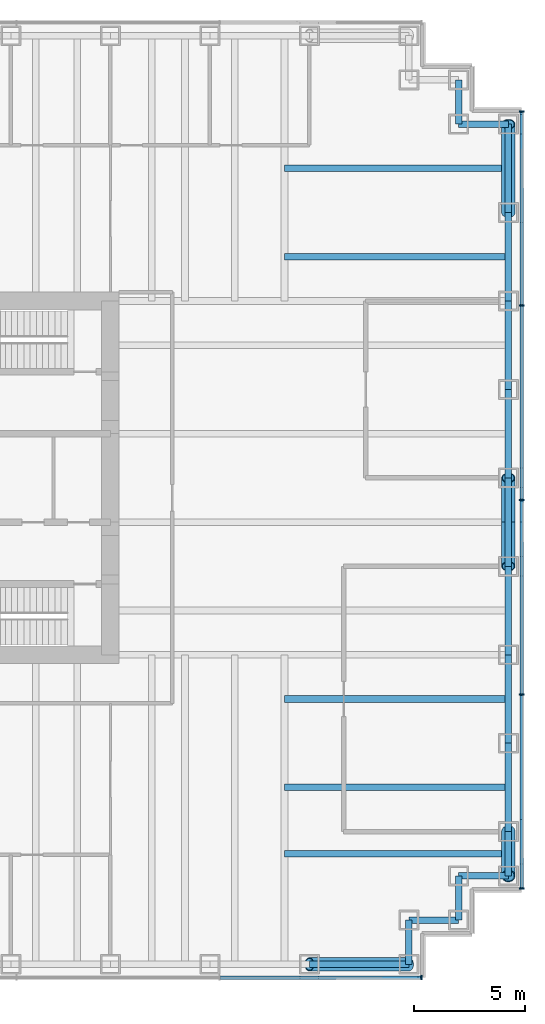
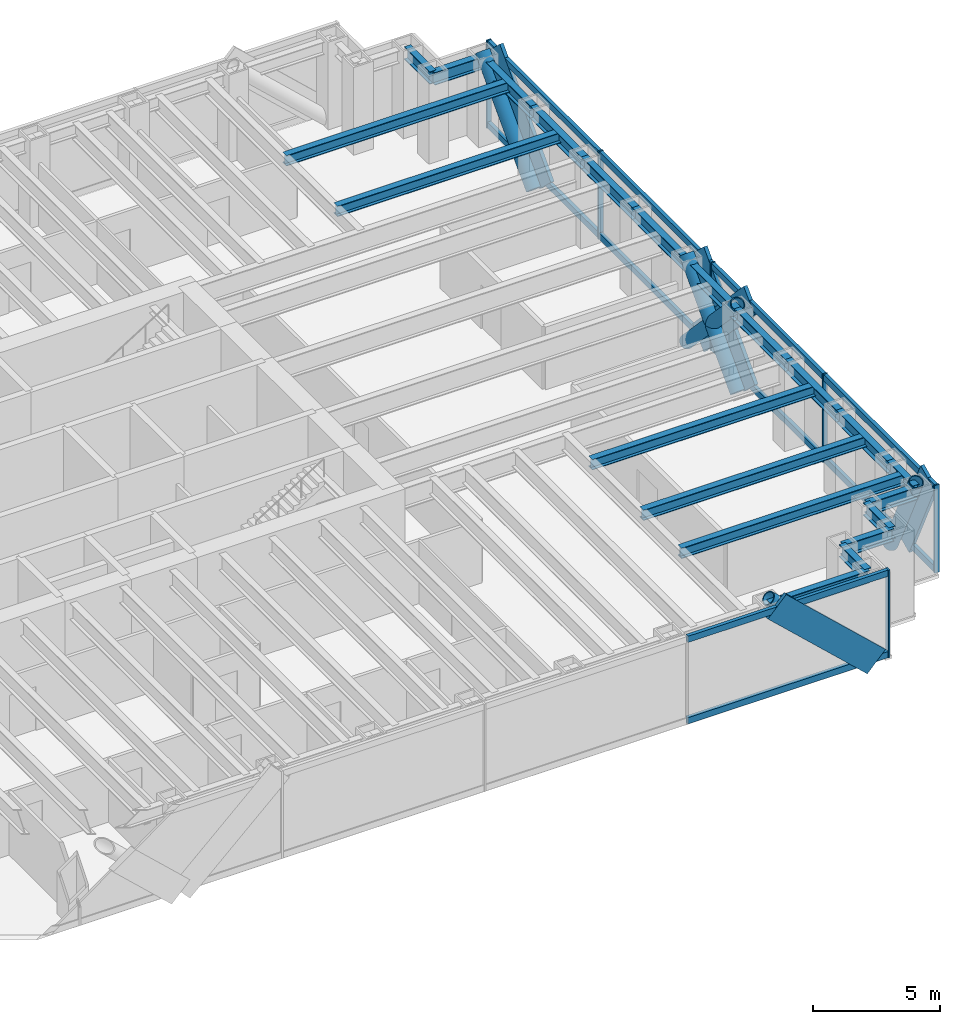
# One storey, part 7 of 15: 26 members, 21 beams, 2 elements without a shape of their own.
"""IFC4 building model written with IfcOpenShell, lengths in metres."""

from ifc_helpers import new_model, si_unit, direction, frame, origin, origin_2d, place, context, subcontext, project, spatial, rectangle, hollow_circle, i_section, extrude, material, material_profile, profile_set, type_object, element, aggregate, save


model = new_model("IFC4")

# Units and contexts
model_context = context("Model", 3, precision=1e-05, world=origin(), true_north=direction((0.0, 1.0)))
body_context = subcontext(model_context, "Body", "Model", "MODEL_VIEW")
ifc_project = project(units=[si_unit("LENGTHUNIT", "METRE"), si_unit("AREAUNIT", "SQUARE_METRE"), si_unit("VOLUMEUNIT", "CUBIC_METRE"), si_unit("PLANEANGLEUNIT", "RADIAN"), si_unit("MASSUNIT", "GRAM", prefix="KILO")], contexts=[model_context])

# Site, building, storey
site_placement = place(None, origin())
site = spatial("IfcSite", under=ifc_project, at=site_placement, CompositionType="ELEMENT")
building_placement = place(site_placement, origin())
building = spatial("IfcBuilding", under=site, at=building_placement, Name="Rheinbord Bourse Tower", CompositionType="ELEMENT")
storey_placement = place(building_placement, frame((0.0, 0.0, 215.199951171875)))
storey = spatial("IfcBuildingStorey", under=building, at=storey_placement, Name="L48", CompositionType="ELEMENT", Elevation=215.199951171875)

# Curtain wall, member
ifc_material_1 = material(Name="Dark glass and black aluminium", Category="aluminium")
curtain_wall_type = type_object("IfcCurtainWallType", Name="CW2 DARK GLASS CURTAIN WALL", PredefinedType="USERDEFINED", material=ifc_material_1)
curtain_wall_1_placement = place(storey_placement, origin())
curtain_wall_1 = element("IfcCurtainWall", 1, at=curtain_wall_1_placement, inside=storey, type_object=curtain_wall_type, Name="Curtain wall CW2 S L48", ObjectType="UNITISED CURTAIN WALL", PredefinedType="USERDEFINED")
ifc_material_2 = material(Name="Black anodised aluminium", Category="aluminium")
ifc_material_profile_1 = material_profile(ifc_material_2, rectangle(XDim=0.159912109375, YDim=1.2099609375, at=origin_2d()), Name="CW2 DIAGONAL MULLION 1210x160")
ifc_profile_set_1 = profile_set([ifc_material_profile_1], Name="Black anodised aluminium")
member_type_1 = type_object("IfcMemberType", Name="CW2 BLACK DIAGONAL MULLION", PredefinedType="USERDEFINED", material=ifc_profile_set_1)
member_1_placement = place(storey_placement, frame((67.5, 1.39990234375, 0.0), z_axis=(-0.73105922506, 0.0, 0.682314010889), x_axis=(0.0, -1.0, 0.0)))
member_1 = element("IfcMember", 2, at=member_1_placement, type_object=member_type_1, Name="CW2 diagonal mullion d", ObjectType="DIAGONAL MULLION", PredefinedType="USERDEFINED", context=body_context, shape_type="SweptSolid", body=[
    extrude(rectangle(XDim=0.159912109375, YDim=1.2099609375, at=origin_2d()), origin(), (0.0, 0.0, 1.0), 6.155517578125),
])

# Curtain wall, members
curtain_wall_2_placement = place(storey_placement, origin())
curtain_wall_2 = element("IfcCurtainWall", 3, at=curtain_wall_2_placement, inside=storey, type_object=curtain_wall_type, Name="Curtain wall CW2 E L48", ObjectType="UNITISED CURTAIN WALL", PredefinedType="USERDEFINED")
member_2_placement = place(storey_placement, frame((72.60009765625, 24.0, 0.0), z_axis=(0.0, -0.689659376744, 0.724133926887), x_axis=(1.0, 0.0, 0.0)))
member_2 = element("IfcMember", 4, at=member_2_placement, type_object=member_type_1, Name="CW2 diagonal mullion a", ObjectType="DIAGONAL MULLION", PredefinedType="USERDEFINED", context=body_context, shape_type="SweptSolid", body=[
    extrude(rectangle(XDim=0.159912109375, YDim=1.2099609375, at=origin_2d()), origin(), (0.0, 0.0, 1.0), 5.800048828125),
])
member_3_placement = place(storey_placement, frame((72.60009765625, 20.0, 0.0), z_axis=(0.0, 0.689659376744, 0.724133926887), x_axis=(-1.0, 0.0, 0.0)))
member_3 = element("IfcMember", 5, at=member_3_placement, type_object=member_type_1, Name="CW2 diagonal mullion b", ObjectType="DIAGONAL MULLION", PredefinedType="USERDEFINED", context=body_context, shape_type="SweptSolid", body=[
    extrude(rectangle(XDim=0.159912109375, YDim=1.2099609375, at=origin_2d()), origin(), (0.0, 0.0, 1.0), 5.800048828125),
])
member_4_placement = place(storey_placement, frame((72.60009765625, 8.0, 0.0), z_axis=(0.0, -0.429937654825, 0.902858578607), x_axis=(1.0, 0.0, 0.0)))
member_4 = element("IfcMember", 6, at=member_4_placement, type_object=member_type_1, Name="CW2 diagonal mullion c", ObjectType="DIAGONAL MULLION", PredefinedType="USERDEFINED", context=body_context, shape_type="SweptSolid", body=[
    extrude(rectangle(XDim=0.159912109375, YDim=1.2099609375, at=origin_2d()), origin(), (0.0, 0.0, 1.0), 4.65185546875),
])
member_5_placement = place(storey_placement, frame((72.60009765625, 36.0, 0.0), z_axis=(0.0, 0.689659376744, 0.724133926887), x_axis=(-1.0, 0.0, 0.0)))
member_5 = element("IfcMember", 7, at=member_5_placement, type_object=member_type_1, Name="CW2 diagonal mullion d", ObjectType="DIAGONAL MULLION", PredefinedType="USERDEFINED", context=body_context, shape_type="SweptSolid", body=[
    extrude(rectangle(XDim=0.159912109375, YDim=1.2099609375, at=origin_2d()), origin(), (0.0, 0.0, 1.0), 5.800048828125),
])

# Member
ifc_material_3 = material(Name="Black anodised aluminium", Category="aluminium")
ifc_material_profile_2 = material_profile(ifc_material_3, rectangle(XDim=0.219970703125, YDim=0.070068359375, at=origin_2d()), Name="CW2 MULLION 70x220")
ifc_profile_set_2 = profile_set([ifc_material_profile_2], Name="Black anodised aluminium")
member_type_2 = type_object("IfcMemberType", Name="CW2 BLACK MULLION", PredefinedType="MULLION", material=ifc_profile_set_2)
member_6_placement = place(storey_placement, frame((68.06494140625, 1.39990234375, 0.0), z_axis=(0.0, 0.0, 1.0), x_axis=(0.0, 1.0, 0.0)))
member_6 = element("IfcMember", 8, at=member_6_placement, type_object=member_type_2, Name="CW2 mullion 8", PredefinedType="MULLION", context=body_context, shape_type="SweptSolid", body=[
    extrude(rectangle(XDim=0.219970703125, YDim=0.070068359375, at=origin_2d()), origin(), (0.0, 0.0, 1.0), 4.199951171875),
])

member_7_placement = place(storey_placement, frame((72.60009765625, 5.43505859375, 0.0), z_axis=(0.0, 0.0, 1.0), x_axis=(-1.0, 0.0, 0.0)))
member_7 = element("IfcMember", 9, at=member_7_placement, type_object=member_type_2, Name="CW2 mullion 1", PredefinedType="MULLION", context=body_context, shape_type="SweptSolid", body=[
    extrude(rectangle(XDim=0.219970703125, YDim=0.070068359375, at=origin_2d()), origin(), (0.0, 0.0, 1.0), 4.199951171875),
])

member_8_placement = place(storey_placement, frame((72.60009765625, 14.199951171875, 0.0), z_axis=(0.0, 0.0, 1.0), x_axis=(-1.0, 0.0, 0.0)))
member_8 = element("IfcMember", 10, at=member_8_placement, type_object=member_type_2, Name="CW2 mullion 2", PredefinedType="MULLION", context=body_context, shape_type="SweptSolid", body=[
    extrude(rectangle(XDim=0.219970703125, YDim=0.070068359375, at=origin_2d()), origin(), (0.0, 0.0, 1.0), 4.199951171875),
])

member_9_placement = place(storey_placement, frame((72.60009765625, 23.0, 0.0), z_axis=(0.0, 0.0, 1.0), x_axis=(-1.0, 0.0, 0.0)))
member_9 = element("IfcMember", 11, at=member_9_placement, type_object=member_type_2, Name="CW2 mullion 3", PredefinedType="MULLION", context=body_context, shape_type="SweptSolid", body=[
    extrude(rectangle(XDim=0.219970703125, YDim=0.070068359375, at=origin_2d()), origin(), (0.0, 0.0, 1.0), 4.199951171875),
])

member_10_placement = place(storey_placement, frame((72.60009765625, 31.800048828125, 0.0), z_axis=(0.0, 0.0, 1.0), x_axis=(-1.0, 0.0, 0.0)))
member_10 = element("IfcMember", 12, at=member_10_placement, type_object=member_type_2, Name="CW2 mullion 4", PredefinedType="MULLION", context=body_context, shape_type="SweptSolid", body=[
    extrude(rectangle(XDim=0.219970703125, YDim=0.070068359375, at=origin_2d()), origin(), (0.0, 0.0, 1.0), 4.199951171875),
])

member_11_placement = place(storey_placement, frame((72.60009765625, 40.56494140625, 0.0), z_axis=(0.0, 0.0, 1.0), x_axis=(-1.0, 0.0, 0.0)))
member_11 = element("IfcMember", 13, at=member_11_placement, type_object=member_type_2, Name="CW2 mullion 5", PredefinedType="MULLION", context=body_context, shape_type="SweptSolid", body=[
    extrude(rectangle(XDim=0.219970703125, YDim=0.070068359375, at=origin_2d()), origin(), (0.0, 0.0, 1.0), 4.199951171875),
])

ifc_material_4 = material(Name="Black anodised aluminium", Category="aluminium")
ifc_material_profile_3 = material_profile(ifc_material_4, rectangle(XDim=0.159912109375, YDim=0.300048828125, at=origin_2d()), Name="CW2 TRANSOM 300x160")
ifc_profile_set_3 = profile_set([ifc_material_profile_3], Name="Black anodised aluminium")
member_type_3 = type_object("IfcMemberType", Name="CW2 BLACK TRANSOM", PredefinedType="USERDEFINED", material=ifc_profile_set_3)
member_12_placement = place(storey_placement, frame((58.963623046875, 1.39990234375, 0.150146484375), z_axis=(1.0, 0.0, 0.0), x_axis=(0.0, 1.0, 0.0)))
member_12 = element("IfcMember", 14, at=member_12_placement, type_object=member_type_3, Name="CW2 transom 7.1", ObjectType="TRANSOM", PredefinedType="USERDEFINED", context=body_context, shape_type="SweptSolid", body=[
    extrude(rectangle(XDim=0.159912109375, YDim=0.300048828125, at=origin_2d()), origin(), (0.0, 0.0, 1.0), 9.06640625),
])

member_13_placement = place(storey_placement, frame((58.963623046875, 1.39990234375, 4.050048828125), z_axis=(1.0, 0.0, 0.0), x_axis=(0.0, 1.0, 0.0)))
member_13 = element("IfcMember", 15, at=member_13_placement, type_object=member_type_3, Name="CW2 transom 7.2", ObjectType="TRANSOM", PredefinedType="USERDEFINED", context=body_context, shape_type="SweptSolid", body=[
    extrude(rectangle(XDim=0.159912109375, YDim=0.300048828125, at=origin_2d()), origin(), (0.0, 0.0, 1.0), 9.06640625),
])

aggregate(curtain_wall_1, [member_6, member_12, member_13, member_1])

member_14_placement = place(storey_placement, frame((72.60009765625, 5.469970703125, 0.150146484375), z_axis=(0.0, 1.0, 0.0), x_axis=(-1.0, 0.0, 0.0)))
member_14 = element("IfcMember", 16, at=member_14_placement, type_object=member_type_3, Name="CW2 transom 1.1", ObjectType="TRANSOM", PredefinedType="USERDEFINED", context=body_context, shape_type="SweptSolid", body=[
    extrude(rectangle(XDim=0.159912109375, YDim=0.300048828125, at=origin_2d()), origin(), (0.0, 0.0, 1.0), 8.695068359375),
])

member_15_placement = place(storey_placement, frame((72.60009765625, 5.469970703125, 4.050048828125), z_axis=(0.0, 1.0, 0.0), x_axis=(-1.0, 0.0, 0.0)))
member_15 = element("IfcMember", 17, at=member_15_placement, type_object=member_type_3, Name="CW2 transom 1.2", ObjectType="TRANSOM", PredefinedType="USERDEFINED", context=body_context, shape_type="SweptSolid", body=[
    extrude(rectangle(XDim=0.159912109375, YDim=0.300048828125, at=origin_2d()), origin(), (0.0, 0.0, 1.0), 8.695068359375),
])

member_16_placement = place(storey_placement, frame((72.60009765625, 14.235107421875, 0.150146484375), z_axis=(0.0, 1.0, 0.0), x_axis=(-1.0, 0.0, 0.0)))
member_16 = element("IfcMember", 18, at=member_16_placement, type_object=member_type_3, Name="CW2 transom 2.1", ObjectType="TRANSOM", PredefinedType="USERDEFINED", context=body_context, shape_type="SweptSolid", body=[
    extrude(rectangle(XDim=0.159912109375, YDim=0.300048828125, at=origin_2d()), origin(), (0.0, 0.0, 1.0), 8.72998046875),
])

member_17_placement = place(storey_placement, frame((72.60009765625, 14.235107421875, 4.050048828125), z_axis=(0.0, 1.0, 0.0), x_axis=(-1.0, 0.0, 0.0)))
member_17 = element("IfcMember", 19, at=member_17_placement, type_object=member_type_3, Name="CW2 transom 2.2", ObjectType="TRANSOM", PredefinedType="USERDEFINED", context=body_context, shape_type="SweptSolid", body=[
    extrude(rectangle(XDim=0.159912109375, YDim=0.300048828125, at=origin_2d()), origin(), (0.0, 0.0, 1.0), 8.72998046875),
])

member_18_placement = place(storey_placement, frame((72.60009765625, 23.034912109375, 0.150146484375), z_axis=(0.0, 1.0, 0.0), x_axis=(-1.0, 0.0, 0.0)))
member_18 = element("IfcMember", 20, at=member_18_placement, type_object=member_type_3, Name="CW2 transom 3.1", ObjectType="TRANSOM", PredefinedType="USERDEFINED", context=body_context, shape_type="SweptSolid", body=[
    extrude(rectangle(XDim=0.159912109375, YDim=0.300048828125, at=origin_2d()), origin(), (0.0, 0.0, 1.0), 8.72998046875),
])

member_19_placement = place(storey_placement, frame((72.60009765625, 23.034912109375, 4.050048828125), z_axis=(0.0, 1.0, 0.0), x_axis=(-1.0, 0.0, 0.0)))
member_19 = element("IfcMember", 21, at=member_19_placement, type_object=member_type_3, Name="CW2 transom 3.2", ObjectType="TRANSOM", PredefinedType="USERDEFINED", context=body_context, shape_type="SweptSolid", body=[
    extrude(rectangle(XDim=0.159912109375, YDim=0.300048828125, at=origin_2d()), origin(), (0.0, 0.0, 1.0), 8.72998046875),
])

member_20_placement = place(storey_placement, frame((72.60009765625, 31.8349609375, 0.150146484375), z_axis=(0.0, 1.0, 0.0), x_axis=(-1.0, 0.0, 0.0)))
member_20 = element("IfcMember", 22, at=member_20_placement, type_object=member_type_3, Name="CW2 transom 4.1", ObjectType="TRANSOM", PredefinedType="USERDEFINED", context=body_context, shape_type="SweptSolid", body=[
    extrude(rectangle(XDim=0.159912109375, YDim=0.300048828125, at=origin_2d()), origin(), (0.0, 0.0, 1.0), 8.695068359375),
])

member_21_placement = place(storey_placement, frame((72.60009765625, 31.8349609375, 4.050048828125), z_axis=(0.0, 1.0, 0.0), x_axis=(-1.0, 0.0, 0.0)))
member_21 = element("IfcMember", 23, at=member_21_placement, type_object=member_type_3, Name="CW2 transom 4.2", ObjectType="TRANSOM", PredefinedType="USERDEFINED", context=body_context, shape_type="SweptSolid", body=[
    extrude(rectangle(XDim=0.159912109375, YDim=0.300048828125, at=origin_2d()), origin(), (0.0, 0.0, 1.0), 8.695068359375),
])

aggregate(curtain_wall_2, [member_7, member_8, member_9, member_10, member_11, member_14, member_15, member_16, member_17, member_18, member_19, member_20, member_21, member_2, member_3, member_4, member_5])

# Members
ifc_material_5 = material(Name="Steel S460", Category="steel")
ifc_material_profile_4 = material_profile(ifc_material_5, hollow_circle(Radius=0.304931640625, WallThickness=0.0400390625, at=origin_2d()), Name="CHS 610x40")
ifc_profile_set_4 = profile_set([ifc_material_profile_4], Name="Steel S460")
member_type_4 = type_object("IfcMemberType", Name="MEGABRACE CHS 610x40", PredefinedType="BRACE", material=ifc_profile_set_4)
member_22_placement = place(storey_placement, frame((67.5, 2.0, 0.0), z_axis=(-0.73105922506, 0.0, 0.682314010889), x_axis=(0.0, -1.0, 0.0)))
element("IfcMember", 24, at=member_22_placement, inside=storey, type_object=member_type_4, Name="Megabrace S face line d L48", PredefinedType="BRACE", context=body_context, shape_type="SweptSolid", body=[
    extrude(hollow_circle(Radius=0.304931640625, WallThickness=0.0400390625, at=origin_2d()), origin(), (0.0, 0.0, 1.0), 6.155517578125),
])
for number, where, z_axis, x_axis, name in (
    (25, (72.0, 24.0, 0.0), (0.0, -0.689659376744, 0.724133926887), (1.0, 0.0, 0.0), "Megabrace E face line a L48"),
    (26, (72.0, 20.0, 0.0), (0.0, 0.689659376744, 0.724133926887), (-1.0, 0.0, 0.0), "Megabrace E face line b L48"),
):
    element("IfcMember", number, at=place(storey_placement, frame(where, z_axis=z_axis, x_axis=x_axis)), inside=storey, type_object=member_type_4, Name=name, PredefinedType="BRACE", context=body_context, shape_type="SweptSolid", body=[
        extrude(hollow_circle(Radius=0.304931640625, WallThickness=0.0400390625, at=origin_2d()), origin(), (0.0, 0.0, 1.0), 5.800048828125),
    ])
member_23_placement = place(storey_placement, frame((72.0, 8.0, 0.0), z_axis=(0.0, -0.429937654825, 0.902858578607), x_axis=(1.0, 0.0, 0.0)))
element("IfcMember", 27, at=member_23_placement, inside=storey, type_object=member_type_4, Name="Megabrace E face line c L48", PredefinedType="BRACE", context=body_context, shape_type="SweptSolid", body=[
    extrude(hollow_circle(Radius=0.304931640625, WallThickness=0.0400390625, at=origin_2d()), origin(), (0.0, 0.0, 1.0), 4.65185546875),
])
member_24_placement = place(storey_placement, frame((72.0, 36.0, 0.0), z_axis=(0.0, 0.689659376744, 0.724133926887), x_axis=(-1.0, 0.0, 0.0)))
element("IfcMember", 28, at=member_24_placement, inside=storey, type_object=member_type_4, Name="Megabrace E face line d L48", PredefinedType="BRACE", context=body_context, shape_type="SweptSolid", body=[
    extrude(hollow_circle(Radius=0.304931640625, WallThickness=0.0400390625, at=origin_2d()), origin(), (0.0, 0.0, 1.0), 5.800048828125),
])

# Beams
ifc_material_6 = material(Name="Steel S460", Category="steel")
ifc_material_profile_5 = material_profile(ifc_material_6, i_section(OverallWidth=0.300048828125, OverallDepth=0.60009765625, WebThickness=0.015380859375, FlangeThickness=0.030029296875, at=origin_2d()), Name="HEB 600")
ifc_profile_set_5 = profile_set([ifc_material_profile_5], Name="Steel S460")
beam_type_1 = type_object("IfcBeamType", Name="SPANDREL HEB 600", PredefinedType="SPANDREL", material=ifc_profile_set_5)
beam_1_placement = place(storey_placement, frame((63.0, 2.0, 3.739990234375), z_axis=(1.0, 0.0, 0.0), x_axis=(0.0, 1.0, 0.0)))
element("IfcBeam", 29, at=beam_1_placement, inside=storey, type_object=beam_type_1, Name="Spandrel S-63-SE-E under L49", PredefinedType="SPANDREL", context=body_context, shape_type="SweptSolid", body=[
    extrude(i_section(OverallWidth=0.300048828125, OverallDepth=0.60009765625, WebThickness=0.015380859375, FlangeThickness=0.030029296875, at=origin_2d()), origin(), (0.0, 0.0, 1.0), 4.5),
])
beam_2_placement = place(storey_placement, frame((67.5, 2.0, 3.739990234375), z_axis=(0.0, 1.0, 0.0), x_axis=(-1.0, 0.0, 0.0)))
element("IfcBeam", 30, at=beam_2_placement, inside=storey, type_object=beam_type_1, Name="Spandrel SE-E-SE-D under L49", PredefinedType="SPANDREL", context=body_context, shape_type="SweptSolid", body=[
    extrude(i_section(OverallWidth=0.300048828125, OverallDepth=0.60009765625, WebThickness=0.015380859375, FlangeThickness=0.030029296875, at=origin_2d()), origin(), (0.0, 0.0, 1.0), 2.0),
])
beam_3_placement = place(storey_placement, frame((67.5, 4.0, 3.739990234375), z_axis=(1.0, 0.0, 0.0), x_axis=(0.0, 1.0, 0.0)))
element("IfcBeam", 31, at=beam_3_placement, inside=storey, type_object=beam_type_1, Name="Spandrel SE-D-SE-C under L49", PredefinedType="SPANDREL", context=body_context, shape_type="SweptSolid", body=[
    extrude(i_section(OverallWidth=0.300048828125, OverallDepth=0.60009765625, WebThickness=0.015380859375, FlangeThickness=0.030029296875, at=origin_2d()), origin(), (0.0, 0.0, 1.0), 2.25),
])
beam_4_placement = place(storey_placement, frame((69.75, 4.0, 3.739990234375), z_axis=(0.0, 1.0, 0.0), x_axis=(-1.0, 0.0, 0.0)))
element("IfcBeam", 32, at=beam_4_placement, inside=storey, type_object=beam_type_1, Name="Spandrel SE-C-SE-B under L49", PredefinedType="SPANDREL", context=body_context, shape_type="SweptSolid", body=[
    extrude(i_section(OverallWidth=0.300048828125, OverallDepth=0.60009765625, WebThickness=0.015380859375, FlangeThickness=0.030029296875, at=origin_2d()), origin(), (0.0, 0.0, 1.0), 2.0),
])
beam_5_placement = place(storey_placement, frame((69.75, 6.0, 3.739990234375), z_axis=(1.0, 0.0, 0.0), x_axis=(0.0, 1.0, 0.0)))
element("IfcBeam", 33, at=beam_5_placement, inside=storey, type_object=beam_type_1, Name="Spandrel SE-B-SE-A under L49", PredefinedType="SPANDREL", context=body_context, shape_type="SweptSolid", body=[
    extrude(i_section(OverallWidth=0.300048828125, OverallDepth=0.60009765625, WebThickness=0.015380859375, FlangeThickness=0.030029296875, at=origin_2d()), origin(), (0.0, 0.0, 1.0), 2.25),
])
beam_6_placement = place(storey_placement, frame((72.0, 6.0, 3.739990234375), z_axis=(0.0, 1.0, 0.0), x_axis=(-1.0, 0.0, 0.0)))
element("IfcBeam", 34, at=beam_6_placement, inside=storey, type_object=beam_type_1, Name="Spandrel SE-A-E-8 under L49", PredefinedType="SPANDREL", context=body_context, shape_type="SweptSolid", body=[
    extrude(i_section(OverallWidth=0.300048828125, OverallDepth=0.60009765625, WebThickness=0.015380859375, FlangeThickness=0.030029296875, at=origin_2d()), origin(), (0.0, 0.0, 1.0), 2.0),
])
for number, where, z_axis, x_axis, name in (
    (35, (72.0, 8.0, 3.739990234375), (0.0, 1.0, 0.0), (-1.0, 0.0, 0.0), "Spandrel E-8-E-12 under L49"),
    (36, (72.0, 12.0, 3.739990234375), (0.0, 1.0, 0.0), (-1.0, 0.0, 0.0), "Spandrel E-12-E-16 under L49"),
    (37, (72.0, 16.0, 3.739990234375), (0.0, 1.0, 0.0), (-1.0, 0.0, 0.0), "Spandrel E-16-E-20 under L49"),
    (38, (72.0, 20.0, 3.739990234375), (0.0, 1.0, 0.0), (-1.0, 0.0, 0.0), "Spandrel E-20-E-24 under L49"),
    (39, (72.0, 24.0, 3.739990234375), (0.0, 1.0, 0.0), (-1.0, 0.0, 0.0), "Spandrel E-24-E-28 under L49"),
    (40, (72.0, 28.0, 3.739990234375), (0.0, 1.0, 0.0), (-1.0, 0.0, 0.0), "Spandrel E-28-E-32 under L49"),
    (41, (72.0, 32.0, 3.739990234375), (0.0, 1.0, 0.0), (-1.0, 0.0, 0.0), "Spandrel E-32-E-36 under L49"),
    (42, (72.0, 36.0, 3.739990234375), (0.0, 1.0, 0.0), (-1.0, 0.0, 0.0), "Spandrel E-36-NE-A under L49"),
):
    element("IfcBeam", number, at=place(storey_placement, frame(where, z_axis=z_axis, x_axis=x_axis)), inside=storey, type_object=beam_type_1, Name=name, PredefinedType="SPANDREL", context=body_context, shape_type="SweptSolid", body=[
        extrude(i_section(OverallWidth=0.300048828125, OverallDepth=0.60009765625, WebThickness=0.015380859375, FlangeThickness=0.030029296875, at=origin_2d()), origin(), (0.0, 0.0, 1.0), 4.0),
    ])
beam_7_placement = place(storey_placement, frame((72.0, 40.0, 3.739990234375), z_axis=(-1.0, 0.0, 0.0), x_axis=(0.0, -1.0, 0.0)))
element("IfcBeam", 43, at=beam_7_placement, inside=storey, type_object=beam_type_1, Name="Spandrel NE-A-NE-B under L49", PredefinedType="SPANDREL", context=body_context, shape_type="SweptSolid", body=[
    extrude(i_section(OverallWidth=0.300048828125, OverallDepth=0.60009765625, WebThickness=0.015380859375, FlangeThickness=0.030029296875, at=origin_2d()), origin(), (0.0, 0.0, 1.0), 2.25),
])
beam_8_placement = place(storey_placement, frame((69.75, 40.0, 3.739990234375), z_axis=(0.0, 1.0, 0.0), x_axis=(-1.0, 0.0, 0.0)))
element("IfcBeam", 44, at=beam_8_placement, inside=storey, type_object=beam_type_1, Name="Spandrel NE-B-NE-C under L49", PredefinedType="SPANDREL", context=body_context, shape_type="SweptSolid", body=[
    extrude(i_section(OverallWidth=0.300048828125, OverallDepth=0.60009765625, WebThickness=0.015380859375, FlangeThickness=0.030029296875, at=origin_2d()), origin(), (0.0, 0.0, 1.0), 2.0),
])
ifc_material_7 = material(Name="Steel S460", Category="steel")
ifc_material_profile_6 = material_profile(ifc_material_7, i_section(OverallWidth=0.300048828125, OverallDepth=0.5, WebThickness=0.014404296875, FlangeThickness=0.028076171875, at=origin_2d()), Name="HEB 500")
ifc_profile_set_6 = profile_set([ifc_material_profile_6], Name="Steel S460")
beam_type_2 = type_object("IfcBeamType", Name="TIE BEAM HEB 500", PredefinedType="JOIST", material=ifc_profile_set_6)
for number, where, z_axis, x_axis, name in (
    (45, (61.875, 7.0, 3.7900390625), (1.0, 0.0, 0.0), (0.0, 1.0, 0.0), "Tie east 7 L49"),
    (46, (61.875, 10.0, 3.7900390625), (1.0, 0.0, 0.0), (0.0, 1.0, 0.0), "Tie east 10 L49"),
    (47, (61.875, 14.0, 3.7900390625), (1.0, 0.0, 0.0), (0.0, 1.0, 0.0), "Tie east 14 L49"),
    (48, (61.875, 34.0, 3.7900390625), (1.0, 0.0, 0.0), (0.0, 1.0, 0.0), "Tie east 34 L49"),
    (49, (61.875, 38.0, 3.7900390625), (1.0, 0.0, 0.0), (0.0, 1.0, 0.0), "Tie east 38 L49"),
):
    element("IfcBeam", number, at=place(storey_placement, frame(where, z_axis=z_axis, x_axis=x_axis)), inside=storey, type_object=beam_type_2, Name=name, PredefinedType="JOIST", context=body_context, shape_type="SweptSolid", body=[
        extrude(i_section(OverallWidth=0.300048828125, OverallDepth=0.5, WebThickness=0.014404296875, FlangeThickness=0.028076171875, at=origin_2d()), origin(), (0.0, 0.0, 1.0), 10.125),
    ])

save(model, "model.ifc")
